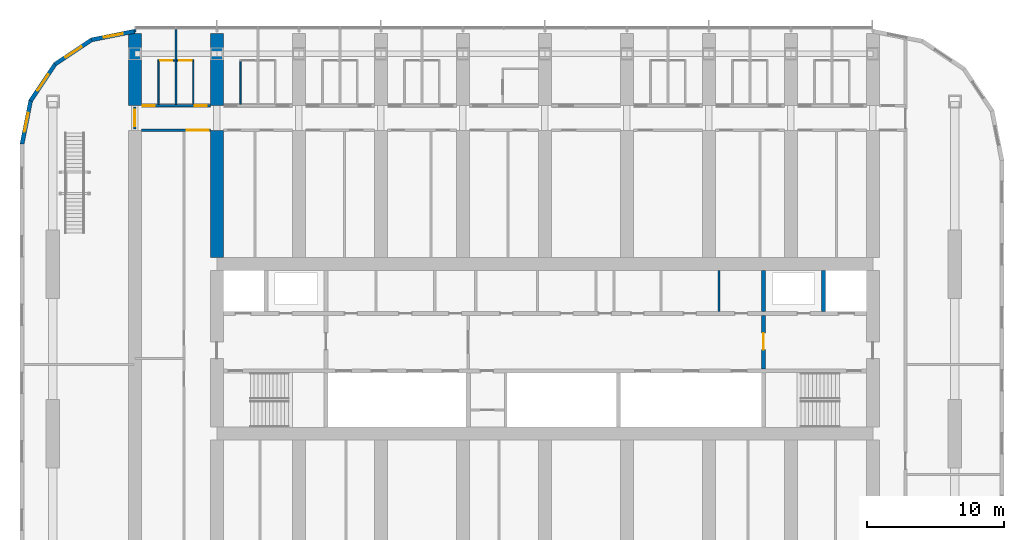
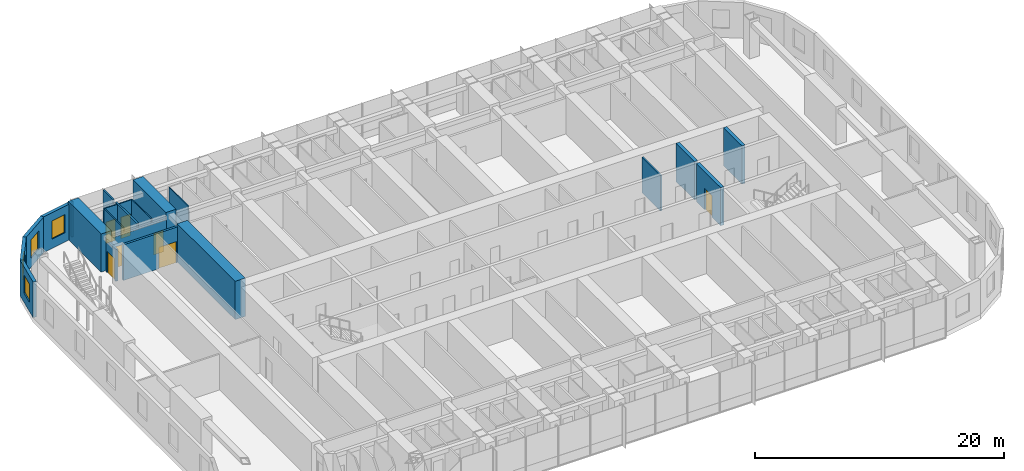
# One storey, part 15 of 26: 21 walls, 7 doors, 4 windows, 11 openings.
"""IFC4 building model written with IfcOpenShell, lengths in metres."""

import ifcopenshell
import ifcopenshell.guid

model = None  # the IFC model being written
_history = None  # IfcOwnerHistory: only IFC2X3 demands one
_inside = {}  # id of a spatial element -> (the spatial element, [elements in it])
_under = {}  # id of a project, library or spatial element -> (it, [spatial elements below it])
_declared = {}  # id of a project -> (the project, [libraries it declares])
_typed = {}  # id of a type object -> (the type object, [elements of that type])
_made_of = {}  # id of a material, layer set ... -> (it, [elements and type objects made of it])


def new_model(schema):
    """Start an empty IFC model of exactly this schema.

    Asked for "IFC4X3", IfcOpenShell would pick the latest addendum, in which some entities
    have other attributes; the version numbers below select the first issue.
    IFC2X3 requires an IfcOwnerHistory on every rooted entity: one is made here for all.
    """
    global model, _history
    if schema == "IFC4X3":
        model = ifcopenshell.file(schema_version=(4, 3, 0, 0))
    else:
        model = ifcopenshell.file(schema=schema)
    _inside.clear()
    _under.clear()
    _declared.clear()
    _typed.clear()
    _made_of.clear()
    _history = None
    if model.schema == "IFC2X3":
        org = make("IfcOrganization", Name="unknown")
        user = make(
            "IfcPersonAndOrganization",
            ThePerson=make("IfcPerson", FamilyName="unknown"),
            TheOrganization=org,
        )
        app = make(
            "IfcApplication",
            ApplicationDeveloper=org,
            Version="unknown",
            ApplicationFullName="unknown",
            ApplicationIdentifier="unknown",
        )
        _history = make(
            "IfcOwnerHistory",
            OwningUser=user,
            OwningApplication=app,
            ChangeAction="ADDED",
            CreationDate=0,
        )
    return model


def make(cls, **values):
    """One entity of the class cls with the attributes given. An attribute that is None is left unset."""
    return model.create_entity(
        cls, **{name: value for name, value in values.items() if value is not None}
    )


def rooted(cls, **values):
    """An entity with a GlobalId (a new one), such as an element, a storey or a relation."""
    return make(cls, GlobalId=ifcopenshell.guid.new(), OwnerHistory=_history, **values)


def si_unit(unit_type, name, prefix=None):
    """IfcSIUnit, for example si_unit("LENGTHUNIT", "METRE", prefix="MILLI")."""
    return make("IfcSIUnit", UnitType=unit_type, Prefix=prefix, Name=name)


def assignment(units):
    """IfcUnitAssignment: the units of a project."""
    return None if units is None else make("IfcUnitAssignment", Units=units)


def point(xyz):
    """IfcCartesianPoint."""
    return None if xyz is None else make("IfcCartesianPoint", Coordinates=xyz)


def direction(xyz):
    """IfcDirection."""
    return None if xyz is None else make("IfcDirection", DirectionRatios=xyz)


def frame(location, z_axis=None, x_axis=None):
    """IfcAxis2Placement3D, a coordinate frame: its origin and axes. An axis left out is left unset."""
    return make(
        "IfcAxis2Placement3D",
        Location=point(location),
        Axis=direction(z_axis),
        RefDirection=direction(x_axis),
    )


def frame_2d(location, x_axis=None):
    """IfcAxis2Placement2D, a coordinate frame in the plane: its origin and x axis."""
    return make(
        "IfcAxis2Placement2D", Location=point(location), RefDirection=direction(x_axis)
    )


def origin():
    """The frame at (0, 0, 0) with its axes left unset."""
    return frame((0.0, 0.0, 0.0))


def place(relative_to, where):
    """IfcLocalPlacement: puts the frame where relative to a parent placement (None: the world)."""
    return make(
        "IfcLocalPlacement", PlacementRelTo=relative_to, RelativePlacement=where
    )


def context(
    kind, dimensions, precision=None, world=None, true_north=None, identifier=None
):
    """IfcGeometricRepresentationContext, for example the 3D "Model" context."""
    return make(
        "IfcGeometricRepresentationContext",
        ContextIdentifier=identifier,
        ContextType=kind,
        CoordinateSpaceDimension=dimensions,
        Precision=precision,
        WorldCoordinateSystem=world,
        TrueNorth=true_north,
    )


def subcontext(parent, identifier, kind, view, scale=None):
    """IfcGeometricRepresentationSubContext, for example "Body" below "Model"."""
    return make(
        "IfcGeometricRepresentationSubContext",
        ContextIdentifier=identifier,
        ContextType=kind,
        ParentContext=parent,
        TargetScale=scale,
        TargetView=view,
    )


def project(units=None, contexts=None):
    """IfcProject with its units and contexts."""
    return rooted(
        "IfcProject",
        Name="project",
        RepresentationContexts=contexts,
        UnitsInContext=assignment(units),
    )


def spatial(cls, under=None, at=None, **own):
    """A site, building, storey or space (cls), placed at a placement, below another one or the project."""
    s = rooted(cls, ObjectPlacement=at, **own)
    if under is not None:
        _under.setdefault(under.id(), (under, []))[1].append(s)
    return s


def polyline(points):
    """IfcPolyline through the points."""
    return make("IfcPolyline", Points=[point(p) for p in points])


def profile(cls, at=None, kind="AREA", **sizes):
    """A parametric profile (cls). Its sizes go by their IFC names, for example OverallWidth=200.0."""
    return make(cls, ProfileType=kind, Position=at, **sizes)


def rectangle(**sizes):
    """IfcRectangleProfileDef."""
    return profile("IfcRectangleProfileDef", **sizes)


def outline(outer, holes=None, kind="AREA"):
    """IfcArbitraryClosedProfileDef: a profile drawn as a closed curve; with holes, ...WithVoids."""
    if holes is None:
        return make("IfcArbitraryClosedProfileDef", ProfileType=kind, OuterCurve=outer)
    return make(
        "IfcArbitraryProfileDefWithVoids",
        ProfileType=kind,
        OuterCurve=outer,
        InnerCurves=holes,
    )


def extrude(swept, where, along, depth):
    """IfcExtrudedAreaSolid: the profile swept, set in the frame where, extruded along a direction by depth."""
    return make(
        "IfcExtrudedAreaSolid",
        SweptArea=swept,
        Position=where,
        ExtrudedDirection=direction(along),
        Depth=depth,
    )


def shape(context_of_items, identifier, shape_type, items):
    """IfcShapeRepresentation: the items that make up one representation, for example the "Body"."""
    return make(
        "IfcShapeRepresentation",
        ContextOfItems=context_of_items,
        RepresentationIdentifier=identifier,
        RepresentationType=shape_type,
        Items=items,
    )


def material(Name=None, Category=None):
    """IfcMaterial."""
    return make("IfcMaterial", Name=Name, Category=Category)


def layer(
    of_material, thickness, ventilated=None, Name=None, Category=None, Priority=None
):
    """IfcMaterialLayer: one layer of a wall or slab, of a material (None: an air gap)."""
    return make(
        "IfcMaterialLayer",
        Material=of_material,
        LayerThickness=thickness,
        IsVentilated=ventilated,
        Name=Name,
        Category=Category,
        Priority=Priority,
    )


def layer_set(layers, Name=None):
    """IfcMaterialLayerSet."""
    return make("IfcMaterialLayerSet", MaterialLayers=layers, LayerSetName=Name)


def made_of(thing, what):
    """Note that an element or type object is made of a material, layer set ...; save() writes the relation."""
    if what is not None:
        _made_of.setdefault(what.id(), (what, []))[1].append(thing)
    return thing


def type_object(cls, material=None, **own):
    """A type object (cls), such as IfcWallType, which elements share."""
    return made_of(rooted(cls, **own), material)


def element(
    cls,
    number,
    at=None,
    inside=None,
    cuts=None,
    type_object=None,
    material=None,
    context=None,
    identifier="Body",
    shape_type=None,
    held_by="IfcProductDefinitionShape",
    body=None,
    shapes=None,
    **own,
):
    """One element of the class cls, such as IfcWall. Its Tag is "e" and its number.

    at: its placement. inside: the storey or other place that contains it. cuts: it is an
    opening in that element (IfcRelVoidsElement). A single representation is given by context,
    identifier, shape_type and body (its items); several are given by shapes. held_by: the class
    of the entity that holds the representations. save() writes the other relations.
    """
    e = rooted(cls, Tag="e%d" % number, ObjectPlacement=at, **own)
    if body is not None:
        shapes = [shape(context, identifier, shape_type, body)]
    if shapes is not None:
        e.Representation = make(held_by, Representations=shapes)
    if inside is not None:
        _inside.setdefault(inside.id(), (inside, []))[1].append(e)
    if cuts is not None:
        rooted(
            "IfcRelVoidsElement", RelatingBuildingElement=cuts, RelatedOpeningElement=e
        )
    if type_object is not None:
        _typed.setdefault(type_object.id(), (type_object, []))[1].append(e)
    return made_of(e, material)


def fill(opening, filler):
    """IfcRelFillsElement: the door or window that sits in an opening."""
    return rooted(
        "IfcRelFillsElement",
        RelatingOpeningElement=opening,
        RelatedBuildingElement=filler,
    )


def aggregate(whole, parts):
    """IfcRelAggregates: a whole, such as a stair, and the parts it consists of."""
    return rooted("IfcRelAggregates", RelatingObject=whole, RelatedObjects=parts)


def save(model, path):
    """Write the relations noted so far, then the file.

    IfcRelAggregates (storeys below a building ...), IfcRelContainedInSpatialStructure (elements
    in a storey), IfcRelDefinesByType, IfcRelAssociatesMaterial and IfcRelDeclares: one each for
    every whole, place, type object, material and project.
    """
    for whole, parts in _under.values():
        aggregate(whole, parts)
    for where, things in _inside.values():
        rooted(
            "IfcRelContainedInSpatialStructure",
            RelatedElements=things,
            RelatingStructure=where,
        )
    for kind, things in _typed.values():
        rooted("IfcRelDefinesByType", RelatedObjects=things, RelatingType=kind)
    for what, things in _made_of.values():
        rooted("IfcRelAssociatesMaterial", RelatedObjects=things, RelatingMaterial=what)
    for by, libraries in _declared.values():
        rooted("IfcRelDeclares", RelatingContext=by, RelatedDefinitions=libraries)
    model.write(path)


model = new_model("IFC4")

# Units and contexts
model_context = context("Model", 3, precision=1e-05, world=origin(), true_north=direction((0.0, 1.0)))
body_context = subcontext(model_context, "Body", "Model", "MODEL_VIEW")
ifc_project = project(units=[si_unit("LENGTHUNIT", "METRE"), si_unit("AREAUNIT", "SQUARE_METRE"), si_unit("VOLUMEUNIT", "CUBIC_METRE"), si_unit("PLANEANGLEUNIT", "RADIAN"), si_unit("MASSUNIT", "GRAM", prefix="KILO")], contexts=[model_context])

# Site, building, storey
site_placement = place(None, origin())
site = spatial("IfcSite", under=ifc_project, at=site_placement, CompositionType="ELEMENT")
building_placement = place(site_placement, origin())
building = spatial("IfcBuilding", under=site, at=building_placement, Name="Orbita Commons", CompositionType="ELEMENT")
storey_placement = place(building_placement, frame((0.0, 0.0, 114.39990234375)))
storey = spatial("IfcBuildingStorey", under=building, at=storey_placement, Name="L28", CompositionType="ELEMENT", Elevation=114.39990234375)

# Wall, opening, door
ifc_material_1 = material(Name="Concrete C50/60", Category="concrete")
ifc_layer_1 = layer(ifc_material_1, 0.300048828125)
ifc_layer_set_1 = layer_set([ifc_layer_1], Name="Concrete C50/60")
wall_type_1 = type_object("IfcWallType", Name="Core inner wall 300 C50/60", PredefinedType="SHEAR", material=ifc_layer_set_1)
wall_1_placement = place(storey_placement, frame((58.0, 30.550048828125, 0.0), z_axis=(0.0, 0.0, 1.0), x_axis=(0.0, 1.0, 0.0)))
wall_1 = element("IfcWall", 1, at=wall_1_placement, inside=storey, type_object=wall_type_1, Name="Firefighting lobby wall east L28", PredefinedType="SHEAR", context=body_context, shape_type="SweptSolid", body=[
    extrude(rectangle(XDim=3.89990234375, YDim=0.300048828125, at=frame_2d((1.949951171875, 0.0))), origin(), (0.0, 0.0, 1.0), 3.75),
])
opening_1_placement = place(wall_1_placement, frame((1.39990234375, 0.0, 0.0)))
opening_1 = element("IfcOpeningElement", 2, at=opening_1_placement, cuts=wall_1, Name="Opening D04", PredefinedType="OPENING", context=body_context, shape_type="SweptSolid", body=[
    extrude(rectangle(XDim=1.199951171875, YDim=2.10009765625, at=frame_2d((0.60009765625, 1.050048828125))), frame((0.0, 0.159912109375, 0.0), z_axis=(0.0, -1.0, 0.0), x_axis=(1.0, 0.0, 0.0)), (0.0, 0.0, 1.0), 0.320068359375),
])
ifc_material_2 = material(Name="Steel-faced fire door leaf", Category="steel")
door_type_1 = type_object("IfcDoorType", Name="Service door 20 min 1200x2100", OperationType="SINGLE_SWING_LEFT", PredefinedType="DOOR", material=ifc_material_2)
door_1_placement = place(opening_1_placement, origin())
door_1 = element("IfcDoor", 3, at=door_1_placement, inside=storey, type_object=door_type_1, Name="Lift lobby door east", OperationType="SINGLE_SWING_LEFT", OverallHeight=2.10009765625, OverallWidth=1.199951171875, PredefinedType="DOOR", context=body_context, shape_type="SweptSolid", body=[
    extrude(rectangle(XDim=1.199951171875, YDim=2.10009765625, at=frame_2d((0.60009765625, 1.050048828125))), frame((0.0, 0.02490234375, 0.0), z_axis=(0.0, -1.0, 0.0), x_axis=(1.0, 0.0, 0.0)), (0.0, 0.0, 1.0), 0.050048828125),
])
fill(opening_1, door_1)

# Walls
for number, where, z_axis, x_axis, name in (
    (4, (62.39990234375, 34.75, 0.0), (0.0, 0.0, 1.0), (0.0, 1.0, 0.0), "Firefighting lift FL2 shaft wall L28"),
    (5, (58.0, 34.75, 0.0), (0.0, 0.0, 1.0), (0.0, 1.0, 0.0), "Riser wall east L28"),
):
    element("IfcWall", number, at=place(storey_placement, frame(where, z_axis=z_axis, x_axis=x_axis)), inside=storey, type_object=wall_type_1, Name=name, PredefinedType="SHEAR", context=body_context, shape_type="SweptSolid", body=[
        extrude(rectangle(XDim=2.97509765625, YDim=0.300048828125, at=frame_2d((1.487548828125, 0.0))), origin(), (0.0, 0.0, 1.0), 3.75),
    ])
ifc_material_3 = material(Name="Concrete blockwork", Category="masonry")
ifc_layer_2 = layer(ifc_material_3, 0.14990234375)
ifc_layer_set_2 = layer_set([ifc_layer_2], Name="Concrete blockwork")
wall_type_2 = type_object("IfcWallType", Name="Core partition 150 blockwork", PredefinedType="SOLIDWALL", material=ifc_layer_set_2)
wall_2_placement = place(storey_placement, frame((54.758056640625, 34.75, 0.0), z_axis=(0.0, 0.0, 1.0), x_axis=(0.0, 1.0, 0.0)))
element("IfcWall", 6, at=wall_2_placement, inside=storey, type_object=wall_type_2, Name="Core partition 150 blockwork L28", PredefinedType="SOLIDWALL", context=body_context, shape_type="SweptSolid", body=[
    extrude(rectangle(XDim=2.97509765625, YDim=0.14990234375, at=frame_2d((1.487548828125, 0.0))), origin(), (0.0, 0.0, 1.0), 3.5),
])

# Wall, openings, doors
ifc_material_4 = material(Name="Concrete blockwork", Category="masonry")
ifc_layer_3 = layer(ifc_material_4, 0.199951171875)
ifc_layer_set_3 = layer_set([ifc_layer_3], Name="Concrete blockwork")
wall_type_3 = type_object("IfcWallType", Name="Corridor wall 200 blockwork", PredefinedType="SOLIDWALL", material=ifc_layer_set_3)
wall_3_placement = place(storey_placement, frame((12.47509765625, 49.800048828125, 0.0), z_axis=(0.0, 0.0, 1.0), x_axis=(1.0, 0.0, 0.0)))
wall_3 = element("IfcWall", 7, at=wall_3_placement, inside=storey, type_object=wall_type_3, Name="Corridor wall 200 blockwork L28", PredefinedType="SOLIDWALL", context=body_context, shape_type="SweptSolid", body=[
    extrude(outline(polyline([(0.0, 0.0), (5.0498046875, 0.0), (5.050048828125, 3.10009765625), (0.0, 3.10009765625), (0.0, 0.0)])), frame((0.0, 0.10009765625, 0.0), z_axis=(0.0, -1.0, 0.0), x_axis=(1.0, 0.0, 0.0)), (0.0, 0.0, 1.0), 0.199951171875),
])
opening_2_placement = place(wall_3_placement, frame((0.10009765625, 0.0, 0.0)))
opening_2 = element("IfcOpeningElement", 8, at=opening_2_placement, cuts=wall_3, Name="Opening D11", PredefinedType="OPENING", context=body_context, shape_type="SweptSolid", body=[
    extrude(rectangle(XDim=0.89990234375, YDim=2.10009765625, at=frame_2d((0.449951171875, 1.050048828125))), frame((0.0, 0.10986328125, 0.0), z_axis=(0.0, -1.0, 0.0), x_axis=(1.0, 0.0, 0.0)), (0.0, 0.0, 1.0), 0.219970703125),
])
opening_3_placement = place(wall_3_placement, frame((3.89990234375, 0.0, 0.0)))
opening_3 = element("IfcOpeningElement", 9, at=opening_3_placement, cuts=wall_3, Name="Opening D11", PredefinedType="OPENING", context=body_context, shape_type="SweptSolid", body=[
    extrude(rectangle(XDim=0.89990234375, YDim=2.10009765625, at=frame_2d((0.449951171875, 1.050048828125))), frame((0.0, 0.10986328125, 0.0), z_axis=(0.0, -1.0, 0.0), x_axis=(1.0, 0.0, 0.0)), (0.0, 0.0, 1.0), 0.219970703125),
])
ifc_material_5 = material(Name="Steel-faced fire door leaf", Category="steel")
door_type_2 = type_object("IfcDoorType", Name="Corridor door 20 min 900x2100", OperationType="SINGLE_SWING_LEFT", PredefinedType="DOOR", material=ifc_material_5)
door_2_placement = place(opening_2_placement, origin())
door_2 = element("IfcDoor", 10, at=door_2_placement, inside=storey, type_object=door_type_2, Name="Cluster bedroom L28-N00 door", OperationType="SINGLE_SWING_LEFT", OverallHeight=2.10009765625, OverallWidth=0.89990234375, PredefinedType="DOOR", context=body_context, shape_type="SweptSolid", body=[
    extrude(rectangle(XDim=0.89990234375, YDim=2.10009765625, at=frame_2d((0.449951171875, 1.050048828125))), frame((0.0, 0.02490234375, 0.0), z_axis=(0.0, -1.0, 0.0), x_axis=(1.0, 0.0, 0.0)), (0.0, 0.0, 1.0), 0.050048828125),
])
fill(opening_2, door_2)
door_3_placement = place(opening_3_placement, origin())
door_3 = element("IfcDoor", 11, at=door_3_placement, inside=storey, type_object=door_type_2, Name="Cluster bedroom L28-N01 door", OperationType="SINGLE_SWING_LEFT", OverallHeight=2.10009765625, OverallWidth=0.89990234375, PredefinedType="DOOR", context=body_context, shape_type="SweptSolid", body=[
    extrude(rectangle(XDim=0.89990234375, YDim=2.10009765625, at=frame_2d((0.449951171875, 1.050048828125))), frame((0.0, 0.02490234375, 0.0), z_axis=(0.0, -1.0, 0.0), x_axis=(1.0, 0.0, 0.0)), (0.0, 0.0, 1.0), 0.050048828125),
])
fill(opening_3, door_3)

# Wall, opening, door
wall_4_placement = place(storey_placement, frame((12.0, 48.10009765625, 0.0), z_axis=(0.0, 0.0, 1.0), x_axis=(0.0, 1.0, 0.0)))
wall_4 = element("IfcWall", 12, at=wall_4_placement, inside=storey, type_object=wall_type_3, Name="Corridor wall 200 blockwork L28", PredefinedType="SOLIDWALL", context=body_context, shape_type="SweptSolid", body=[
    extrude(outline(polyline([(0.0, 0.0), (1.599853515625, 0.0), (1.60009765625, 3.10009765625), (0.0, 3.10009765625), (0.0, 0.0)])), frame((0.0, 0.10009765625, 0.0), z_axis=(0.0, -1.0, 0.0), x_axis=(1.0, 0.0, 0.0)), (0.0, 0.0, 1.0), 0.199951171875),
])
opening_4_placement = place(wall_4_placement, frame((0.199951171875, 0.0, 0.0)))
opening_4 = element("IfcOpeningElement", 13, at=opening_4_placement, cuts=wall_4, Name="Opening D12", PredefinedType="OPENING", context=body_context, shape_type="SweptSolid", body=[
    extrude(rectangle(XDim=1.199951171875, YDim=2.10009765625, at=frame_2d((0.60009765625, 1.050048828125))), frame((0.0, 0.10986328125, 0.0), z_axis=(0.0, -1.0, 0.0), x_axis=(1.0, 0.0, 0.0)), (0.0, 0.0, 1.0), 0.219970703125),
])
ifc_material_6 = material(Name="Steel-faced fire door leaf", Category="steel")
door_type_3 = type_object("IfcDoorType", Name="Double corridor door 20 min 1200x2100", OperationType="DOUBLE_DOOR_SINGLE_SWING", PredefinedType="DOOR", material=ifc_material_6)
door_4_placement = place(opening_4_placement, origin())
door_4 = element("IfcDoor", 14, at=door_4_placement, inside=storey, type_object=door_type_3, Name="Lounge doors", OperationType="DOUBLE_DOOR_SINGLE_SWING", OverallHeight=2.10009765625, OverallWidth=1.199951171875, PredefinedType="DOOR", context=body_context, shape_type="SweptSolid", body=[
    extrude(rectangle(XDim=1.199951171875, YDim=2.10009765625, at=frame_2d((0.60009765625, 1.050048828125))), frame((0.0, 0.02490234375, 0.0), z_axis=(0.0, -1.0, 0.0), x_axis=(1.0, 0.0, 0.0)), (0.0, 0.0, 1.0), 0.050048828125),
])
fill(opening_4, door_4)

ifc_material_7 = material(Name="Hollow concrete block 200", Category="concrete")
ifc_layer_4 = layer(ifc_material_7, 0.199951171875)
ifc_layer_set_4 = layer_set([ifc_layer_4], Name="Hollow concrete block 200")
wall_type_4 = type_object("IfcWallType", Name="Corridor wall 200 hollow concrete block", PredefinedType="SOLIDWALL", material=ifc_layer_set_4)
wall_5_placement = place(storey_placement, frame((12.47509765625, 48.0, 0.0), z_axis=(0.0, 0.0, 1.0), x_axis=(1.0, 0.0, 0.0)))
wall_5 = element("IfcWall", 15, at=wall_5_placement, inside=storey, type_object=wall_type_4, Name="Corridor wall 200 hollow concrete block L28", PredefinedType="SOLIDWALL", context=body_context, shape_type="SweptSolid", body=[
    extrude(rectangle(XDim=5.0498046875, YDim=0.199951171875, at=frame_2d((2.52490234375, 0.0))), origin(), (0.0, 0.0, 1.0), 3.5),
])
opening_5_placement = place(wall_5_placement, frame((3.324951171875, 0.0, 0.0)))
opening_5 = element("IfcOpeningElement", 16, at=opening_5_placement, cuts=wall_5, Name="Opening D10", PredefinedType="OPENING", context=body_context, shape_type="SweptSolid", body=[
    extrude(rectangle(XDim=1.60009765625, YDim=2.10009765625, at=frame_2d((0.800048828125, 1.050048828125))), frame((0.0, 0.10986328125, 0.0), z_axis=(0.0, -1.0, 0.0), x_axis=(1.0, 0.0, 0.0)), (0.0, 0.0, 1.0), 0.219970703125),
])
ifc_material_8 = material(Name="Steel-faced fire door leaf", Category="steel")
door_type_4 = type_object("IfcDoorType", Name="Double corridor door 20 min 1600x2100", OperationType="DOUBLE_DOOR_SINGLE_SWING", PredefinedType="DOOR", material=ifc_material_8)
door_5_placement = place(opening_5_placement, origin())
door_5 = element("IfcDoor", 17, at=door_5_placement, inside=storey, type_object=door_type_4, Name="Cross corridor doors", OperationType="DOUBLE_DOOR_SINGLE_SWING", OverallHeight=2.10009765625, OverallWidth=1.60009765625, PredefinedType="DOOR", context=body_context, shape_type="SweptSolid", body=[
    extrude(rectangle(XDim=1.60009765625, YDim=2.10009765625, at=frame_2d((0.800048828125, 1.050048828125))), frame((0.0, 0.02490234375, 0.0), z_axis=(0.0, -1.0, 0.0), x_axis=(1.0, 0.0, 0.0)), (0.0, 0.0, 1.0), 0.050048828125),
])
fill(opening_5, door_5)

# Walls
ifc_material_9 = material(Name="Concrete C50/60", Category="concrete")
ifc_layer_5 = layer(ifc_material_9, 0.949951171875)
ifc_layer_set_5 = layer_set([ifc_layer_5], Name="Concrete C50/60")
wall_type_5 = type_object("IfcWallType", Name="Cross wall 950 C50/60", PredefinedType="SHEAR", material=ifc_layer_set_5)
for number, where, z_axis, x_axis, name in (
    (18, (12.0, 49.800048828125, 0.0), (0.0, 0.0, 1.0), (0.0, 1.0, 0.0), "Cross wall 3 north outer L28"),
    (19, (18.0, 49.800048828125, 0.0), (0.0, 0.0, 1.0), (0.0, 1.0, 0.0), "Cross wall 4 north outer L28"),
):
    element("IfcWall", number, at=place(storey_placement, frame(where, z_axis=z_axis, x_axis=x_axis)), inside=storey, type_object=wall_type_5, Name=name, PredefinedType="SHEAR", context=body_context, shape_type="SweptSolid", body=[
        extrude(rectangle(XDim=5.300048828125, YDim=0.949951171875, at=frame_2d((2.64990234375, 0.0))), origin(), (0.0, 0.0, 1.0), 3.75),
    ])
wall_6_placement = place(storey_placement, frame((18.0, 38.675048828125, 0.0), z_axis=(0.0, 0.0, 1.0), x_axis=(0.0, 1.0, 0.0)))
element("IfcWall", 20, at=wall_6_placement, inside=storey, type_object=wall_type_5, Name="Cross wall 4 north inner L28", PredefinedType="SHEAR", context=body_context, shape_type="SweptSolid", body=[
    extrude(rectangle(XDim=9.324951171875, YDim=0.949951171875, at=frame_2d((4.66259765625, 0.0))), origin(), (0.0, 0.0, 1.0), 3.75),
])

# Wall, opening, door
ifc_material_10 = material(Name="Moisture-resistant plasterboard on steel studs", Category="steel")
ifc_layer_6 = layer(ifc_material_10, 0.10009765625)
ifc_layer_set_6 = layer_set([ifc_layer_6], Name="Moisture-resistant plasterboard on steel studs")
wall_type_6 = type_object("IfcWallType", Name="En-suite partition 100", PredefinedType="PARTITIONING", material=ifc_layer_set_6)
wall_7_placement = place(storey_placement, frame((13.675048828125, 53.10009765625, 0.0), z_axis=(0.0, 0.0, 1.0), x_axis=(1.0, 0.0, 0.0)))
wall_7 = element("IfcWall", 21, at=wall_7_placement, inside=storey, type_object=wall_type_6, Name="En-suite partition 100 L28", PredefinedType="PARTITIONING", context=body_context, shape_type="SweptSolid", body=[
    extrude(rectangle(XDim=1.25, YDim=0.10009765625, at=frame_2d((0.625, 0.0))), origin(), (0.0, 0.0, 1.0), 3.5),
])
opening_6_placement = place(wall_7_placement, frame((0.175048828125, 0.0, 0.0)))
opening_6 = element("IfcOpeningElement", 22, at=opening_6_placement, cuts=wall_7, Name="Opening D09", PredefinedType="OPENING", context=body_context, shape_type="SweptSolid", body=[
    extrude(rectangle(XDim=0.89990234375, YDim=2.10009765625, at=frame_2d((0.449951171875, 1.050048828125))), frame((0.0, 0.06005859375, 0.0), z_axis=(0.0, -1.0, 0.0), x_axis=(1.0, 0.0, 0.0)), (0.0, 0.0, 1.0), 0.1201171875),
])
ifc_material_11 = material(Name="Laminated timber door leaf", Category="wood")
door_type_5 = type_object("IfcDoorType", Name="En-suite door 900x2100", OperationType="SINGLE_SWING_RIGHT", PredefinedType="DOOR", material=ifc_material_11)
door_6_placement = place(opening_6_placement, origin())
door_6 = element("IfcDoor", 23, at=door_6_placement, inside=storey, type_object=door_type_5, Name="En-suite L28-N00 door", OperationType="SINGLE_SWING_RIGHT", OverallHeight=2.10009765625, OverallWidth=0.89990234375, PredefinedType="DOOR", context=body_context, shape_type="SweptSolid", body=[
    extrude(rectangle(XDim=0.89990234375, YDim=2.10009765625, at=frame_2d((0.449951171875, 1.050048828125))), frame((0.0, 0.02490234375, 0.0), z_axis=(0.0, -1.0, 0.0), x_axis=(1.0, 0.0, 0.0)), (0.0, 0.0, 1.0), 0.050048828125),
])
fill(opening_6, door_6)

# Wall
wall_8_placement = place(storey_placement, frame((13.72509765625, 53.050048828125, 0.0), z_axis=(0.0, 0.0, 1.0), x_axis=(0.0, -1.0, 0.0)))
element("IfcWall", 24, at=wall_8_placement, inside=storey, type_object=wall_type_6, Name="En-suite partition 100 L28", PredefinedType="PARTITIONING", context=body_context, shape_type="SweptSolid", body=[
    extrude(outline(polyline([(0.0, 0.0), (3.150146484375, 0.0), (3.14990234375, 3.10009765625), (3.10205078125, 3.10009765625), (3.10009765625, 3.5), (0.0, 3.5), (0.0, 0.0)])), frame((0.0, 0.050048828125, 0.0), z_axis=(0.0, -1.0, 0.0), x_axis=(1.0, 0.0, 0.0)), (0.0, 0.0, 1.0), 0.10009765625),
])

# Wall, opening, door
wall_9_placement = place(storey_placement, frame((15.074951171875, 53.10009765625, 0.0), z_axis=(0.0, 0.0, 1.0), x_axis=(1.0, 0.0, 0.0)))
wall_9 = element("IfcWall", 25, at=wall_9_placement, inside=storey, type_object=wall_type_6, Name="En-suite partition 100 L28", PredefinedType="PARTITIONING", context=body_context, shape_type="SweptSolid", body=[
    extrude(rectangle(XDim=1.25, YDim=0.10009765625, at=frame_2d((0.625, 0.0))), origin(), (0.0, 0.0, 1.0), 3.5),
])
opening_7_placement = place(wall_9_placement, frame((0.175048828125, 0.0, 0.0)))
opening_7 = element("IfcOpeningElement", 26, at=opening_7_placement, cuts=wall_9, Name="Opening D09", PredefinedType="OPENING", context=body_context, shape_type="SweptSolid", body=[
    extrude(rectangle(XDim=0.89990234375, YDim=2.10009765625, at=frame_2d((0.449951171875, 1.050048828125))), frame((0.0, 0.06005859375, 0.0), z_axis=(0.0, -1.0, 0.0), x_axis=(1.0, 0.0, 0.0)), (0.0, 0.0, 1.0), 0.1201171875),
])
door_7_placement = place(opening_7_placement, origin())
door_7 = element("IfcDoor", 27, at=door_7_placement, inside=storey, type_object=door_type_5, Name="En-suite L28-N01 door", OperationType="SINGLE_SWING_RIGHT", OverallHeight=2.10009765625, OverallWidth=0.89990234375, PredefinedType="DOOR", context=body_context, shape_type="SweptSolid", body=[
    extrude(rectangle(XDim=0.89990234375, YDim=2.10009765625, at=frame_2d((0.449951171875, 1.050048828125))), frame((0.0, 0.02490234375, 0.0), z_axis=(0.0, -1.0, 0.0), x_axis=(1.0, 0.0, 0.0)), (0.0, 0.0, 1.0), 0.050048828125),
])
fill(opening_7, door_7)

# Walls
for number, where, z_axis, x_axis, name in (
    (28, (16.27490234375, 53.050048828125, 0.0), (0.0, 0.0, 1.0), (0.0, -1.0, 0.0), "En-suite partition 100 L28"),
    (29, (19.72509765625, 53.050048828125, 0.0), (0.0, 0.0, 1.0), (0.0, -1.0, 0.0), "En-suite partition 100 L28"),
):
    element("IfcWall", number, at=place(storey_placement, frame(where, z_axis=z_axis, x_axis=x_axis)), inside=storey, type_object=wall_type_6, Name=name, PredefinedType="PARTITIONING", context=body_context, shape_type="SweptSolid", body=[
        extrude(outline(polyline([(0.0, 0.0), (3.150146484375, 0.0), (3.14990234375, 3.10009765625), (3.10205078125, 3.10009765625), (3.10009765625, 3.5), (0.0, 3.5), (0.0, 0.0)])), frame((0.0, 0.050048828125, 0.0), z_axis=(0.0, -1.0, 0.0), x_axis=(1.0, 0.0, 0.0)), (0.0, 0.0, 1.0), 0.10009765625),
    ])
ifc_material_12 = material(Name="Gypsum plasterboard on steel studs", Category="steel")
ifc_layer_7 = layer(ifc_material_12, 0.14990234375)
ifc_layer_set_7 = layer_set([ifc_layer_7], Name="Gypsum plasterboard on steel studs")
wall_type_7 = type_object("IfcWallType", Name="Partition 150 plasterboard", PredefinedType="PARTITIONING", material=ifc_layer_set_7)
wall_10_placement = place(storey_placement, frame((12.0, 55.199951171875, 0.0), z_axis=(0.0, 0.0, 1.0), x_axis=(0.0, 1.0, 0.0)))
element("IfcWall", 30, at=wall_10_placement, inside=storey, type_object=wall_type_7, Name="Partition 150 plasterboard L28", PredefinedType="PARTITIONING", context=body_context, shape_type="SweptSolid", body=[
    extrude(rectangle(XDim=0.219970703125, YDim=0.14990234375, at=frame_2d((0.10986328125, 0.0))), origin(), (0.0, 0.0, 1.0), 3.5),
])
ifc_material_13 = material(Name="Gypsum plasterboard on steel studs", Category="steel")
ifc_layer_8 = layer(ifc_material_13, 0.14990234375)
ifc_layer_set_8 = layer_set([ifc_layer_8], Name="Gypsum plasterboard on steel studs")
wall_type_8 = type_object("IfcWallType", Name="Party wall 150 plasterboard", PredefinedType="PARTITIONING", material=ifc_layer_set_8)
wall_11_placement = place(storey_placement, frame((15.0, 55.389892578125, 0.0), z_axis=(0.0, 0.0, 1.0), x_axis=(0.0, -1.0, 0.0)))
element("IfcWall", 31, at=wall_11_placement, inside=storey, type_object=wall_type_8, Name="Party wall 150 plasterboard L28", PredefinedType="PARTITIONING", context=body_context, shape_type="SweptSolid", body=[
    extrude(outline(polyline([(0.0, 0.0), (5.489990234375, 0.0), (5.489990234375, 3.10009765625), (5.44189453125, 3.10009765625), (5.43994140625, 3.5), (1.991943359375, 3.5), (1.989990234375, 3.10009765625), (1.592041015625, 3.10009765625), (1.590087890625, 3.5), (0.0, 3.5), (0.0, 0.0)])), frame((0.0, 0.074951171875, 0.0), z_axis=(0.0, -1.0, 0.0), x_axis=(1.0, 0.0, 0.0)), (0.0, 0.0, 1.0), 0.14990234375),
])

# Wall, opening, window
ifc_material_14 = material(Name="Precast concrete C40/50, white board-marked finish", Category="concrete")
ifc_layer_9 = layer(ifc_material_14, 0.300048828125)
ifc_layer_set_9 = layer_set([ifc_layer_9], Name="Precast concrete C40/50, white board-marked finish")
wall_type_9 = type_object("IfcWallType", Name="Precast concrete end shield 300", PredefinedType="SOLIDWALL", material=ifc_layer_set_9)
wall_12_placement = place(storey_placement, frame((12.0, 55.25, 0.0), z_axis=(0.0, 0.0, 1.0), x_axis=(-0.980787251524, -0.195080412259, 0.0)))
wall_12 = element("IfcWall", 32, at=wall_12_placement, inside=storey, type_object=wall_type_9, Name="End shield NW chord 1 L28", PredefinedType="SOLIDWALL", context=body_context, shape_type="SweptSolid", body=[
    extrude(outline(polyline([(-0.02978515625, -0.14990234375), (3.24853515625, -0.14990234375), (3.18896484375, 0.14990234375), (0.02978515625, 0.14990234375), (-0.02978515625, -0.14990234375)])), origin(), (0.0, 0.0, 1.0), 3.5),
])
opening_8_placement = place(wall_12_placement, frame((0.909423828125, 0.0, 0.89990234375)))
opening_8 = element("IfcOpeningElement", 33, at=opening_8_placement, cuts=wall_12, Name="Opening W02", PredefinedType="OPENING", context=body_context, shape_type="SweptSolid", body=[
    extrude(rectangle(XDim=1.39990234375, YDim=1.800048828125, at=frame_2d((0.699951171875, 0.89990234375))), frame((0.0, 0.159912109375, 0.0), z_axis=(0.0, -1.0, 0.0), x_axis=(1.0, 0.0, 0.0)), (0.0, 0.0, 1.0), 0.320068359375),
])
ifc_material_15 = material(Name="Aluminium frame, clear double glazing", Category="aluminium")
window_type = type_object("IfcWindowType", Name="Deep-set window 1400x1800", PartitioningType="SINGLE_PANEL", PredefinedType="WINDOW", material=ifc_material_15)
window_1_placement = place(opening_8_placement, origin())
window_1 = element("IfcWindow", 34, at=window_1_placement, inside=storey, type_object=window_type, Name="Window L28-NW0", OverallHeight=1.800048828125, OverallWidth=1.39990234375, PartitioningType="SINGLE_PANEL", PredefinedType="WINDOW", context=body_context, shape_type="SweptSolid", body=[
    extrude(rectangle(XDim=1.39990234375, YDim=1.800048828125, at=frame_2d((0.699951171875, 0.89990234375))), frame((0.0, 0.030029296875, 0.0), z_axis=(0.0, -1.0, 0.0), x_axis=(1.0, 0.0, 0.0)), (0.0, 0.0, 1.0), 0.06005859375),
])
fill(opening_8, window_1)

wall_13_placement = place(storey_placement, frame((8.843017578125, 54.6220703125, 0.0), z_axis=(0.0, 0.0, 1.0), x_axis=(-0.831443069936, -0.555609954424, 0.0)))
wall_13 = element("IfcWall", 35, at=wall_13_placement, inside=storey, type_object=wall_type_9, Name="End shield NW chord 2 L28", PredefinedType="SOLIDWALL", context=body_context, shape_type="SweptSolid", body=[
    extrude(outline(polyline([(-0.02978515625, -0.14990234375), (3.2490234375, -0.14990234375), (3.189453125, 0.14990234375), (0.02978515625, 0.14990234375), (-0.02978515625, -0.14990234375)])), origin(), (0.0, 0.0, 1.0), 3.5),
])
opening_9_placement = place(wall_13_placement, frame((0.909423828125, 0.0, 0.89990234375)))
opening_9 = element("IfcOpeningElement", 36, at=opening_9_placement, cuts=wall_13, Name="Opening W02", PredefinedType="OPENING", context=body_context, shape_type="SweptSolid", body=[
    extrude(rectangle(XDim=1.39990234375, YDim=1.800048828125, at=frame_2d((0.699951171875, 0.89990234375))), frame((0.0, 0.159912109375, 0.0), z_axis=(0.0, -1.0, 0.0), x_axis=(1.0, 0.0, 0.0)), (0.0, 0.0, 1.0), 0.320068359375),
])
window_2_placement = place(opening_9_placement, origin())
window_2 = element("IfcWindow", 37, at=window_2_placement, inside=storey, type_object=window_type, Name="Window L28-NW1", OverallHeight=1.800048828125, OverallWidth=1.39990234375, PartitioningType="SINGLE_PANEL", PredefinedType="WINDOW", context=body_context, shape_type="SweptSolid", body=[
    extrude(rectangle(XDim=1.39990234375, YDim=1.800048828125, at=frame_2d((0.699951171875, 0.89990234375))), frame((0.0, 0.030029296875, 0.0), z_axis=(0.0, -1.0, 0.0), x_axis=(1.0, 0.0, 0.0)), (0.0, 0.0, 1.0), 0.06005859375),
])
fill(opening_9, window_2)

wall_14_placement = place(storey_placement, frame((6.16650390625, 52.83349609375, 0.0), z_axis=(0.0, 0.0, 1.0), x_axis=(-0.555609954424, -0.831443069936, 0.0)))
wall_14 = element("IfcWall", 38, at=wall_14_placement, inside=storey, type_object=wall_type_9, Name="End shield NW chord 3 L28", PredefinedType="SOLIDWALL", context=body_context, shape_type="SweptSolid", body=[
    extrude(outline(polyline([(-0.02978515625, -0.14990234375), (3.2490234375, -0.14990234375), (3.189453125, 0.14990234375), (0.02978515625, 0.14990234375), (-0.02978515625, -0.14990234375)])), origin(), (0.0, 0.0, 1.0), 3.5),
])
opening_10_placement = place(wall_14_placement, frame((0.909423828125, 0.0, 0.89990234375)))
opening_10 = element("IfcOpeningElement", 39, at=opening_10_placement, cuts=wall_14, Name="Opening W02", PredefinedType="OPENING", context=body_context, shape_type="SweptSolid", body=[
    extrude(rectangle(XDim=1.39990234375, YDim=1.800048828125, at=frame_2d((0.699951171875, 0.89990234375))), frame((0.0, 0.159912109375, 0.0), z_axis=(0.0, -1.0, 0.0), x_axis=(1.0, 0.0, 0.0)), (0.0, 0.0, 1.0), 0.320068359375),
])
window_3_placement = place(opening_10_placement, origin())
window_3 = element("IfcWindow", 40, at=window_3_placement, inside=storey, type_object=window_type, Name="Window L28-NW2", OverallHeight=1.800048828125, OverallWidth=1.39990234375, PartitioningType="SINGLE_PANEL", PredefinedType="WINDOW", context=body_context, shape_type="SweptSolid", body=[
    extrude(rectangle(XDim=1.39990234375, YDim=1.800048828125, at=frame_2d((0.699951171875, 0.89990234375))), frame((0.0, 0.030029296875, 0.0), z_axis=(0.0, -1.0, 0.0), x_axis=(1.0, 0.0, 0.0)), (0.0, 0.0, 1.0), 0.06005859375),
])
fill(opening_10, window_3)

wall_15_placement = place(storey_placement, frame((4.3779296875, 50.156982421875, 0.0), z_axis=(0.0, 0.0, 1.0), x_axis=(-0.195080412259, -0.980787251524, 0.0)))
wall_15 = element("IfcWall", 41, at=wall_15_placement, inside=storey, type_object=wall_type_9, Name="End shield NW chord 4 L28", PredefinedType="SOLIDWALL", context=body_context, shape_type="SweptSolid", body=[
    extrude(outline(polyline([(-0.02978515625, -0.14990234375), (3.233642578125, -0.14990234375), (3.203857421875, 0.14990234375), (0.02978515625, 0.14990234375), (-0.02978515625, -0.14990234375)])), origin(), (0.0, 0.0, 1.0), 3.5),
])
opening_11_placement = place(wall_15_placement, frame((0.909423828125, 0.0, 0.89990234375)))
opening_11 = element("IfcOpeningElement", 42, at=opening_11_placement, cuts=wall_15, Name="Opening W02", PredefinedType="OPENING", context=body_context, shape_type="SweptSolid", body=[
    extrude(rectangle(XDim=1.39990234375, YDim=1.800048828125, at=frame_2d((0.699951171875, 0.89990234375))), frame((0.0, 0.159912109375, 0.0), z_axis=(0.0, -1.0, 0.0), x_axis=(1.0, 0.0, 0.0)), (0.0, 0.0, 1.0), 0.320068359375),
])
window_4_placement = place(opening_11_placement, origin())
window_4 = element("IfcWindow", 43, at=window_4_placement, inside=storey, type_object=window_type, Name="Window L28-NW3", OverallHeight=1.800048828125, OverallWidth=1.39990234375, PartitioningType="SINGLE_PANEL", PredefinedType="WINDOW", context=body_context, shape_type="SweptSolid", body=[
    extrude(rectangle(XDim=1.39990234375, YDim=1.800048828125, at=frame_2d((0.699951171875, 0.89990234375))), frame((0.0, 0.030029296875, 0.0), z_axis=(0.0, -1.0, 0.0), x_axis=(1.0, 0.0, 0.0)), (0.0, 0.0, 1.0), 0.06005859375),
])
fill(opening_11, window_4)

save(model, "model.ifc")
